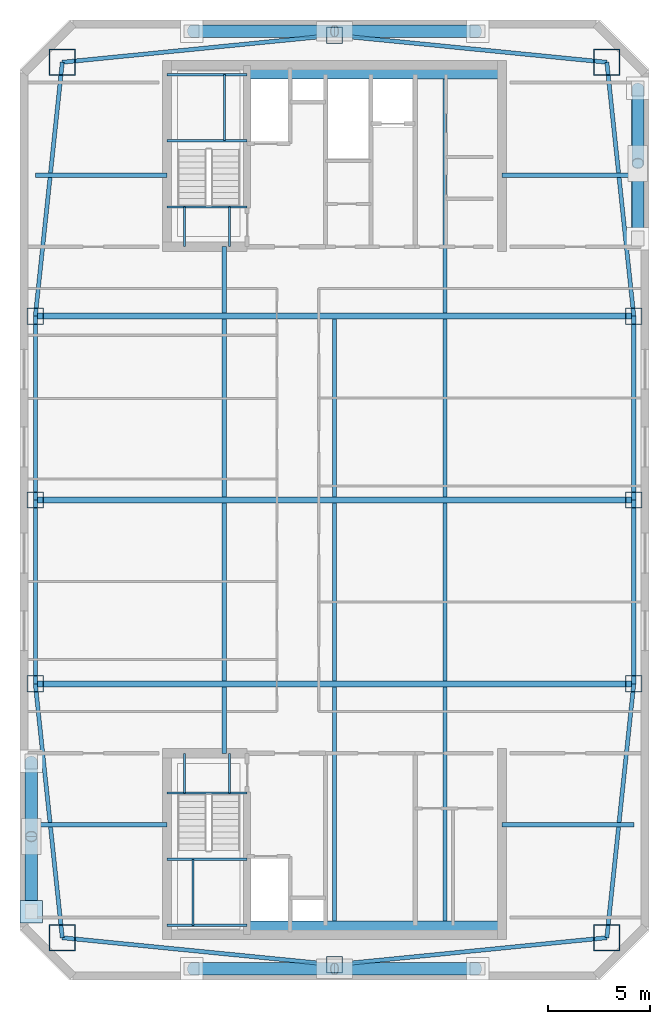
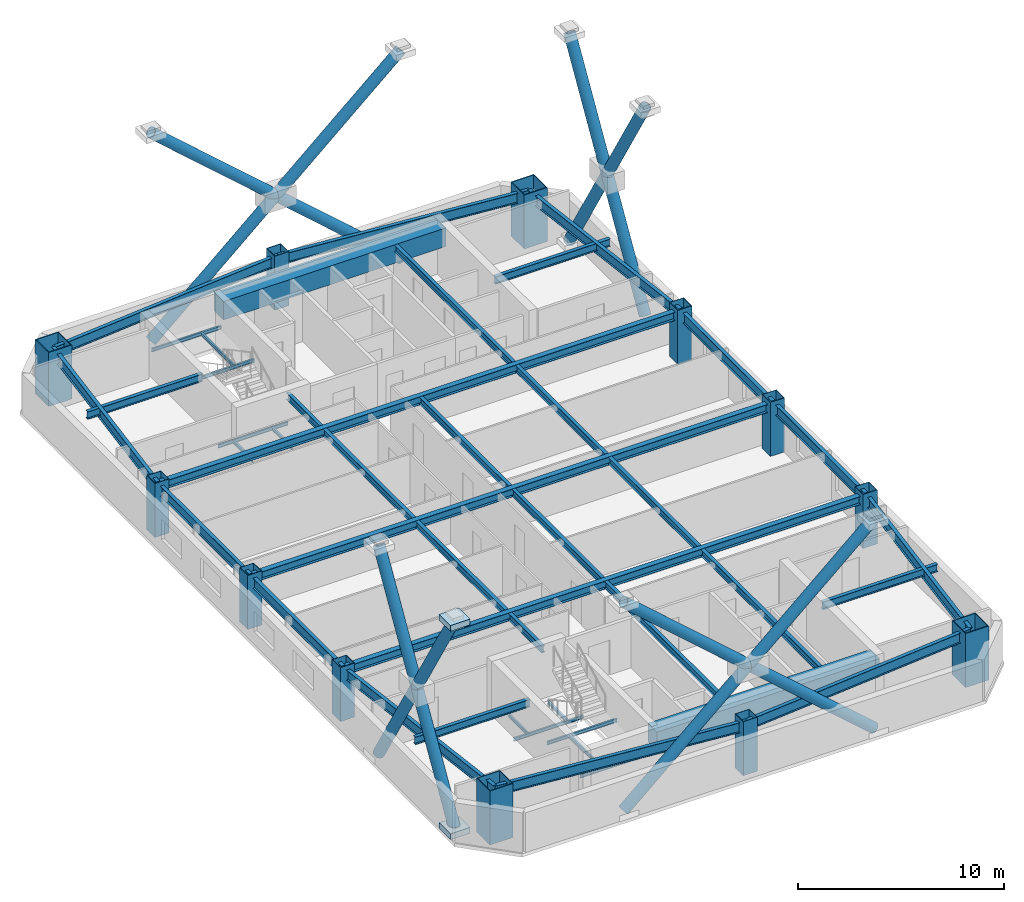
# One storey, part 1 of 6: 44 beams, 16 members, 12 columns, 2 plates.
"""IFC4 building model written with IfcOpenShell, lengths in metres."""

from ifc_helpers import new_model, si_unit, direction, frame, origin, origin_2d, place, context, subcontext, project, spatial, rectangle, hollow_rectangle, hollow_circle, i_section, extrude, material, layer, layer_set, material_profile, profile_set, type_object, element, save


model = new_model("IFC4")

# Units and contexts
model_context = context("Model", 3, precision=1e-05, world=origin(), true_north=direction((0.0, 1.0)))
body_context = subcontext(model_context, "Body", "Model", "MODEL_VIEW")
ifc_project = project(units=[si_unit("LENGTHUNIT", "METRE"), si_unit("AREAUNIT", "SQUARE_METRE"), si_unit("VOLUMEUNIT", "CUBIC_METRE"), si_unit("PLANEANGLEUNIT", "RADIAN"), si_unit("MASSUNIT", "GRAM", prefix="KILO")], contexts=[model_context])

# Site, building, storey
site_placement = place(None, origin())
site = spatial("IfcSite", under=ifc_project, at=site_placement, CompositionType="ELEMENT")
building_placement = place(site_placement, origin())
building = spatial("IfcBuilding", under=site, at=building_placement, Name="Qiaolan Cultural Towers", CompositionType="ELEMENT")
storey_placement = place(building_placement, frame((0.0, 0.0, 263.199951171875)))
storey = spatial("IfcBuildingStorey", under=building, at=storey_placement, Name="L72", CompositionType="ELEMENT", Elevation=263.199951171875)

# Columns
ifc_material_1 = material(Name="Steel Q390GJB", Category="steel")
ifc_material_profile_1 = material_profile(ifc_material_1, hollow_rectangle(XDim=1.300048828125, YDim=1.300048828125, WallThickness=0.044921875, at=origin_2d()), Name="BOX1300x1300x45")
ifc_profile_set_1 = profile_set([ifc_material_profile_1], Name="Steel Q390GJB")
column_type_1 = type_object("IfcColumnType", Name="COL-BOX1300x1300x45", PredefinedType="COLUMN", material=ifc_profile_set_1)
for number, where, z_axis, x_axis, name in (
    (1, (16.669921875, 12.570068359375, 0.0), (0.0, 0.0, 1.0), (1.0, 0.0, 0.0), "L72 T1 Perimeter Column MC-SW"),
    (2, (43.330078125, 12.570068359375, 0.0), (0.0, 0.0, 1.0), (1.0, 0.0, 0.0), "L72 T1 Perimeter Column MC-SE"),
    (3, (43.330078125, 55.429931640625, 0.0), (0.0, 0.0, 1.0), (1.0, 0.0, 0.0), "L72 T1 Perimeter Column MC-NE"),
    (4, (16.669921875, 55.429931640625, 0.0), (0.0, 0.0, 1.0), (1.0, 0.0, 0.0), "L72 T1 Perimeter Column MC-NW"),
):
    element("IfcColumn", number, at=place(storey_placement, frame(where, z_axis=z_axis, x_axis=x_axis)), inside=storey, type_object=column_type_1, Name=name, PredefinedType="COLUMN", context=body_context, shape_type="SweptSolid", body=[
        extrude(hollow_rectangle(XDim=1.300048828125, YDim=1.300048828125, WallThickness=0.044921875, at=origin_2d()), origin(), (0.0, 0.0, 1.0), 3.200927734375),
    ])
ifc_material_2 = material(Name="Steel Q355B", Category="steel")
ifc_material_profile_2 = material_profile(ifc_material_2, hollow_rectangle(XDim=0.800048828125, YDim=0.800048828125, WallThickness=0.028076171875, at=origin_2d()), Name="BOX800x800x28")
ifc_profile_set_2 = profile_set([ifc_material_profile_2], Name="Steel Q355B")
column_type_2 = type_object("IfcColumnType", Name="COL-BOX800x800x28", PredefinedType="COLUMN", material=ifc_profile_set_2)
for number, where, z_axis, x_axis, name in (
    (5, (15.35009765625, 25.0, 0.0), (0.0, 0.0, 1.0), (1.0, 0.0, 0.0), "L72 T1 Perimeter Column PC-W1"),
    (6, (15.35009765625, 34.0, 0.0), (0.0, 0.0, 1.0), (1.0, 0.0, 0.0), "L72 T1 Perimeter Column PC-W2"),
    (7, (15.35009765625, 43.0, 0.0), (0.0, 0.0, 1.0), (1.0, 0.0, 0.0), "L72 T1 Perimeter Column PC-W3"),
    (8, (44.64990234375, 25.0, 0.0), (0.0, 0.0, 1.0), (1.0, 0.0, 0.0), "L72 T1 Perimeter Column PC-E1"),
    (9, (44.64990234375, 34.0, 0.0), (0.0, 0.0, 1.0), (1.0, 0.0, 0.0), "L72 T1 Perimeter Column PC-E2"),
    (10, (44.64990234375, 43.0, 0.0), (0.0, 0.0, 1.0), (1.0, 0.0, 0.0), "L72 T1 Perimeter Column PC-E3"),
    (11, (30.0, 11.25, 0.0), (0.0, 0.0, 1.0), (1.0, 0.0, 0.0), "L72 T1 Perimeter Column PC-S0"),
    (12, (30.0, 56.75, 0.0), (0.0, 0.0, 1.0), (1.0, 0.0, 0.0), "L72 T1 Perimeter Column PC-N0"),
):
    element("IfcColumn", number, at=place(storey_placement, frame(where, z_axis=z_axis, x_axis=x_axis)), inside=storey, type_object=column_type_2, Name=name, PredefinedType="COLUMN", context=body_context, shape_type="SweptSolid", body=[
        extrude(hollow_rectangle(XDim=0.800048828125, YDim=0.800048828125, WallThickness=0.028076171875, at=origin_2d()), origin(), (0.0, 0.0, 1.0), 3.200927734375),
    ])

# Beams
ifc_material_3 = material(Name="Steel Q355B", Category="steel")
ifc_material_profile_3 = material_profile(ifc_material_3, i_section(OverallWidth=0.300048828125, OverallDepth=0.488037109375, WebThickness=0.010986328125, FlangeThickness=0.01806640625, at=origin_2d()), Name="HM488x300x11x18")
ifc_profile_set_3 = profile_set([ifc_material_profile_3], Name="Steel Q355B")
beam_type_1 = type_object("IfcBeamType", Name="BM-HM488x300x11x18", PredefinedType="BEAM", material=ifc_profile_set_3)
for number, where, z_axis, x_axis, name in (
    (13, (15.35009765625, 25.0, 2.696044921875), (1.0, 0.0, 0.0), (0.0, 1.0, 0.0), "L72 T1 Primary Transverse Girder V1"),
    (14, (15.35009765625, 34.0, 2.696044921875), (1.0, 0.0, 0.0), (0.0, 1.0, 0.0), "L72 T1 Primary Transverse Girder V2"),
    (15, (15.35009765625, 43.0, 2.696044921875), (1.0, 0.0, 0.0), (0.0, 1.0, 0.0), "L72 T1 Primary Transverse Girder V3"),
):
    element("IfcBeam", number, at=place(storey_placement, frame(where, z_axis=z_axis, x_axis=x_axis)), inside=storey, type_object=beam_type_1, Name=name, PredefinedType="BEAM", context=body_context, shape_type="SweptSolid", body=[
        extrude(i_section(OverallWidth=0.300048828125, OverallDepth=0.488037109375, WebThickness=0.010986328125, FlangeThickness=0.01806640625, at=origin_2d()), origin(), (0.0, 0.0, 1.0), 29.2998046875),
    ])
ifc_material_4 = material(Name="Steel Q355B", Category="steel")
ifc_material_profile_4 = material_profile(ifc_material_4, i_section(OverallWidth=0.199951171875, OverallDepth=0.39990234375, WebThickness=0.008056640625, FlangeThickness=0.012939453125, at=origin_2d()), Name="HN400x200x8x13")
ifc_profile_set_4 = profile_set([ifc_material_profile_4], Name="Steel Q355B")
beam_type_2 = type_object("IfcBeamType", Name="BM-JST-HN400x200x8x13", PredefinedType="JOIST", material=ifc_profile_set_4)
beam_1_placement = place(storey_placement, frame((24.60009765625, 21.60009765625, 2.739990234375), z_axis=(0.0, 1.0, 0.0), x_axis=(-1.0, 0.0, 0.0)))
element("IfcBeam", 16, at=beam_1_placement, inside=storey, type_object=beam_type_2, Name="L72 T1 Secondary Floor Joist U1-1", PredefinedType="JOIST", context=body_context, shape_type="SweptSolid", body=[
    extrude(i_section(OverallWidth=0.199951171875, OverallDepth=0.39990234375, WebThickness=0.008056640625, FlangeThickness=0.012939453125, at=origin_2d()), origin(), (0.0, 0.0, 1.0), 3.25),
])
for number, where, z_axis, x_axis, name in (
    (17, (24.60009765625, 25.14990234375, 2.739990234375), (0.0, 1.0, 0.0), (-1.0, 0.0, 0.0), "L72 T1 Secondary Floor Joist U1-2"),
    (18, (24.60009765625, 34.14990234375, 2.739990234375), (0.0, 1.0, 0.0), (-1.0, 0.0, 0.0), "L72 T1 Secondary Floor Joist U1-3"),
):
    element("IfcBeam", number, at=place(storey_placement, frame(where, z_axis=z_axis, x_axis=x_axis)), inside=storey, type_object=beam_type_2, Name=name, PredefinedType="JOIST", context=body_context, shape_type="SweptSolid", body=[
        extrude(i_section(OverallWidth=0.199951171875, OverallDepth=0.39990234375, WebThickness=0.008056640625, FlangeThickness=0.012939453125, at=origin_2d()), origin(), (0.0, 0.0, 1.0), 8.7001953125),
    ])
beam_2_placement = place(storey_placement, frame((24.60009765625, 43.14990234375, 2.739990234375), z_axis=(0.0, 1.0, 0.0), x_axis=(-1.0, 0.0, 0.0)))
element("IfcBeam", 19, at=beam_2_placement, inside=storey, type_object=beam_type_2, Name="L72 T1 Secondary Floor Joist U1-4", PredefinedType="JOIST", context=body_context, shape_type="SweptSolid", body=[
    extrude(i_section(OverallWidth=0.199951171875, OverallDepth=0.39990234375, WebThickness=0.008056640625, FlangeThickness=0.012939453125, at=origin_2d()), origin(), (0.0, 0.0, 1.0), 3.25),
])
beam_3_placement = place(storey_placement, frame((30.0, 13.39990234375, 2.739990234375), z_axis=(0.0, 1.0, 0.0), x_axis=(-1.0, 0.0, 0.0)))
element("IfcBeam", 20, at=beam_3_placement, inside=storey, type_object=beam_type_2, Name="L72 T1 Secondary Floor Joist U2-1", PredefinedType="JOIST", context=body_context, shape_type="SweptSolid", body=[
    extrude(i_section(OverallWidth=0.199951171875, OverallDepth=0.39990234375, WebThickness=0.008056640625, FlangeThickness=0.012939453125, at=origin_2d()), origin(), (0.0, 0.0, 1.0), 11.4501953125),
])
for number, where, z_axis, x_axis, name in (
    (21, (30.0, 25.14990234375, 2.739990234375), (0.0, 1.0, 0.0), (-1.0, 0.0, 0.0), "L72 T1 Secondary Floor Joist U2-2"),
    (22, (30.0, 34.14990234375, 2.739990234375), (0.0, 1.0, 0.0), (-1.0, 0.0, 0.0), "L72 T1 Secondary Floor Joist U2-3"),
):
    element("IfcBeam", number, at=place(storey_placement, frame(where, z_axis=z_axis, x_axis=x_axis)), inside=storey, type_object=beam_type_2, Name=name, PredefinedType="JOIST", context=body_context, shape_type="SweptSolid", body=[
        extrude(i_section(OverallWidth=0.199951171875, OverallDepth=0.39990234375, WebThickness=0.008056640625, FlangeThickness=0.012939453125, at=origin_2d()), origin(), (0.0, 0.0, 1.0), 8.7001953125),
    ])
beam_4_placement = place(storey_placement, frame((35.39990234375, 13.39990234375, 2.739990234375), z_axis=(0.0, 1.0, 0.0), x_axis=(-1.0, 0.0, 0.0)))
element("IfcBeam", 23, at=beam_4_placement, inside=storey, type_object=beam_type_2, Name="L72 T1 Secondary Floor Joist U3-1", PredefinedType="JOIST", context=body_context, shape_type="SweptSolid", body=[
    extrude(i_section(OverallWidth=0.199951171875, OverallDepth=0.39990234375, WebThickness=0.008056640625, FlangeThickness=0.012939453125, at=origin_2d()), origin(), (0.0, 0.0, 1.0), 11.4501953125),
])
for number, where, z_axis, x_axis, name in (
    (24, (35.39990234375, 25.14990234375, 2.739990234375), (0.0, 1.0, 0.0), (-1.0, 0.0, 0.0), "L72 T1 Secondary Floor Joist U3-2"),
    (25, (35.39990234375, 34.14990234375, 2.739990234375), (0.0, 1.0, 0.0), (-1.0, 0.0, 0.0), "L72 T1 Secondary Floor Joist U3-3"),
):
    element("IfcBeam", number, at=place(storey_placement, frame(where, z_axis=z_axis, x_axis=x_axis)), inside=storey, type_object=beam_type_2, Name=name, PredefinedType="JOIST", context=body_context, shape_type="SweptSolid", body=[
        extrude(i_section(OverallWidth=0.199951171875, OverallDepth=0.39990234375, WebThickness=0.008056640625, FlangeThickness=0.012939453125, at=origin_2d()), origin(), (0.0, 0.0, 1.0), 8.7001953125),
    ])
beam_5_placement = place(storey_placement, frame((35.39990234375, 43.14990234375, 2.739990234375), z_axis=(0.0, 1.0, 0.0), x_axis=(-1.0, 0.0, 0.0)))
element("IfcBeam", 26, at=beam_5_placement, inside=storey, type_object=beam_type_2, Name="L72 T1 Secondary Floor Joist U3-4", PredefinedType="JOIST", context=body_context, shape_type="SweptSolid", body=[
    extrude(i_section(OverallWidth=0.199951171875, OverallDepth=0.39990234375, WebThickness=0.008056640625, FlangeThickness=0.012939453125, at=origin_2d()), origin(), (0.0, 0.0, 1.0), 11.4501953125),
])
ifc_material_5 = material(Name="Steel Q355B", Category="steel")
ifc_material_profile_5 = material_profile(ifc_material_5, i_section(OverallWidth=0.199951171875, OverallDepth=0.449951171875, WebThickness=0.009033203125, FlangeThickness=0.013916015625, at=origin_2d()), Name="HN450x200x9x14")
ifc_profile_set_5 = profile_set([ifc_material_profile_5], Name="Steel Q355B")
beam_type_3 = type_object("IfcBeamType", Name="BM-LNT-HN450x200x9x14", PredefinedType="LINTEL", material=ifc_profile_set_5)
for number, where, z_axis, x_axis, name in (
    (27, (21.800048828125, 18.10009765625, 2.715087890625), (-1.0, 0.0, 0.0), (0.0, -1.0, 0.0), "L72 T1 Core Flank Tie Lintel WS"),
    (28, (21.800048828125, 49.89990234375, 2.715087890625), (-1.0, 0.0, 0.0), (0.0, -1.0, 0.0), "L72 T1 Core Flank Tie Lintel WN"),
    (29, (38.199951171875, 18.10009765625, 2.715087890625), (1.0, 0.0, 0.0), (0.0, 1.0, 0.0), "L72 T1 Core Flank Tie Lintel ES"),
    (30, (38.199951171875, 49.89990234375, 2.715087890625), (1.0, 0.0, 0.0), (0.0, 1.0, 0.0), "L72 T1 Core Flank Tie Lintel EN"),
):
    element("IfcBeam", number, at=place(storey_placement, frame(where, z_axis=z_axis, x_axis=x_axis)), inside=storey, type_object=beam_type_3, Name=name, PredefinedType="LINTEL", context=body_context, shape_type="SweptSolid", body=[
        extrude(i_section(OverallWidth=0.199951171875, OverallDepth=0.449951171875, WebThickness=0.009033203125, FlangeThickness=0.013916015625, at=origin_2d()), origin(), (0.0, 0.0, 1.0), 6.449951171875),
    ])
ifc_material_6 = material(Name="Concrete C50", Category="concrete")
ifc_material_profile_6 = material_profile(ifc_material_6, rectangle(XDim=0.89990234375, YDim=1.10009765625, at=origin_2d()), Name="RC900x1100")
ifc_profile_set_6 = profile_set([ifc_material_profile_6], Name="Concrete C50")
beam_type_4 = type_object("IfcBeamType", Name="BM-RC900x1100", PredefinedType="BEAM", material=ifc_profile_set_6)
for number, where, z_axis, x_axis, name in (
    (31, (25.719970703125, 12.949951171875, 2.39013671875), (1.0, 0.0, 0.0), (0.0, 1.0, 0.0), "L72 T1 Core Header Girder S"),
    (32, (25.719970703125, 55.050048828125, 2.39013671875), (1.0, 0.0, 0.0), (0.0, 1.0, 0.0), "L72 T1 Core Header Girder N"),
):
    element("IfcBeam", number, at=place(storey_placement, frame(where, z_axis=z_axis, x_axis=x_axis)), inside=storey, type_object=beam_type_4, Name=name, PredefinedType="BEAM", context=body_context, shape_type="SweptSolid", body=[
        extrude(rectangle(XDim=0.89990234375, YDim=1.10009765625, at=origin_2d()), origin(), (0.0, 0.0, 1.0), 12.47998046875),
    ])
ifc_material_7 = material(Name="Steel Q355B", Category="steel")
ifc_material_profile_7 = material_profile(ifc_material_7, i_section(OverallWidth=0.199951171875, OverallDepth=0.60009765625, WebThickness=0.010986328125, FlangeThickness=0.01708984375, at=origin_2d()), Name="HN600x200x11x17")
ifc_profile_set_7 = profile_set([ifc_material_profile_7], Name="Steel Q355B")
beam_type_5 = type_object("IfcBeamType", Name="BM-SPD-HN600x200x11x17", PredefinedType="SPANDREL", material=ifc_profile_set_7)
for number, where, z_axis, x_axis, name in (
    (33, (16.669921875, 12.570068359375, 2.64013671875), (0.995132371263, -0.098547266143, 0.0), (0.098547266143, 0.995132371263, 0.0), "L72 T1 Perimeter Spandrel Beam 1"),
    (34, (30.0, 11.25, 2.64013671875), (0.995132371263, 0.098547266143, 0.0), (-0.098547266143, 0.995132371263, 0.0), "L72 T1 Perimeter Spandrel Beam 2"),
):
    element("IfcBeam", number, at=place(storey_placement, frame(where, z_axis=z_axis, x_axis=x_axis)), inside=storey, type_object=beam_type_5, Name=name, PredefinedType="SPANDREL", context=body_context, shape_type="SweptSolid", body=[
        extrude(i_section(OverallWidth=0.199951171875, OverallDepth=0.60009765625, WebThickness=0.010986328125, FlangeThickness=0.01708984375, at=origin_2d()), origin(), (0.0, 0.0, 1.0), 13.395263671875),
    ])
beam_6_placement = place(storey_placement, frame((43.330078125, 12.570068359375, 2.64013671875), z_axis=(0.105587580773, 0.994410007384, 0.0), x_axis=(-0.994410007384, 0.105587580773, 0.0)))
element("IfcBeam", 35, at=beam_6_placement, inside=storey, type_object=beam_type_5, Name="L72 T1 Perimeter Spandrel Beam 3", PredefinedType="SPANDREL", context=body_context, shape_type="SweptSolid", body=[
    extrude(i_section(OverallWidth=0.199951171875, OverallDepth=0.60009765625, WebThickness=0.010986328125, FlangeThickness=0.01708984375, at=origin_2d()), origin(), (0.0, 0.0, 1.0), 12.499755859375),
])
for number, where, z_axis, x_axis, name in (
    (36, (44.64990234375, 25.0, 2.64013671875), (0.0, 1.0, 0.0), (-1.0, 0.0, 0.0), "L72 T1 Perimeter Spandrel Beam 4"),
    (37, (44.64990234375, 34.0, 2.64013671875), (0.0, 1.0, 0.0), (-1.0, 0.0, 0.0), "L72 T1 Perimeter Spandrel Beam 5"),
):
    element("IfcBeam", number, at=place(storey_placement, frame(where, z_axis=z_axis, x_axis=x_axis)), inside=storey, type_object=beam_type_5, Name=name, PredefinedType="SPANDREL", context=body_context, shape_type="SweptSolid", body=[
        extrude(i_section(OverallWidth=0.199951171875, OverallDepth=0.60009765625, WebThickness=0.010986328125, FlangeThickness=0.01708984375, at=origin_2d()), origin(), (0.0, 0.0, 1.0), 9.0),
    ])
beam_7_placement = place(storey_placement, frame((44.64990234375, 43.0, 2.64013671875), z_axis=(-0.105587580773, 0.994410007384, 0.0), x_axis=(-0.994410007384, -0.105587580773, 0.0)))
element("IfcBeam", 38, at=beam_7_placement, inside=storey, type_object=beam_type_5, Name="L72 T1 Perimeter Spandrel Beam 6", PredefinedType="SPANDREL", context=body_context, shape_type="SweptSolid", body=[
    extrude(i_section(OverallWidth=0.199951171875, OverallDepth=0.60009765625, WebThickness=0.010986328125, FlangeThickness=0.01708984375, at=origin_2d()), origin(), (0.0, 0.0, 1.0), 12.499755859375),
])
for number, where, z_axis, x_axis, name in (
    (39, (43.330078125, 55.429931640625, 2.64013671875), (-0.995132371263, 0.098547266143, 0.0), (-0.098547266143, -0.995132371263, 0.0), "L72 T1 Perimeter Spandrel Beam 7"),
    (40, (30.0, 56.75, 2.64013671875), (-0.995132371263, -0.098547266143, 0.0), (0.098547266143, -0.995132371263, 0.0), "L72 T1 Perimeter Spandrel Beam 8"),
):
    element("IfcBeam", number, at=place(storey_placement, frame(where, z_axis=z_axis, x_axis=x_axis)), inside=storey, type_object=beam_type_5, Name=name, PredefinedType="SPANDREL", context=body_context, shape_type="SweptSolid", body=[
        extrude(i_section(OverallWidth=0.199951171875, OverallDepth=0.60009765625, WebThickness=0.010986328125, FlangeThickness=0.01708984375, at=origin_2d()), origin(), (0.0, 0.0, 1.0), 13.395263671875),
    ])
beam_8_placement = place(storey_placement, frame((16.669921875, 55.429931640625, 2.64013671875), z_axis=(-0.105587580773, -0.994410007384, 0.0), x_axis=(0.994410007384, -0.105587580773, 0.0)))
element("IfcBeam", 41, at=beam_8_placement, inside=storey, type_object=beam_type_5, Name="L72 T1 Perimeter Spandrel Beam 9", PredefinedType="SPANDREL", context=body_context, shape_type="SweptSolid", body=[
    extrude(i_section(OverallWidth=0.199951171875, OverallDepth=0.60009765625, WebThickness=0.010986328125, FlangeThickness=0.01708984375, at=origin_2d()), origin(), (0.0, 0.0, 1.0), 12.499755859375),
])
for number, where, z_axis, x_axis, name in (
    (42, (15.35009765625, 43.0, 2.64013671875), (0.0, -1.0, 0.0), (1.0, 0.0, 0.0), "L72 T1 Perimeter Spandrel Beam 10"),
    (43, (15.35009765625, 34.0, 2.64013671875), (0.0, -1.0, 0.0), (1.0, 0.0, 0.0), "L72 T1 Perimeter Spandrel Beam 11"),
):
    element("IfcBeam", number, at=place(storey_placement, frame(where, z_axis=z_axis, x_axis=x_axis)), inside=storey, type_object=beam_type_5, Name=name, PredefinedType="SPANDREL", context=body_context, shape_type="SweptSolid", body=[
        extrude(i_section(OverallWidth=0.199951171875, OverallDepth=0.60009765625, WebThickness=0.010986328125, FlangeThickness=0.01708984375, at=origin_2d()), origin(), (0.0, 0.0, 1.0), 9.0),
    ])
beam_9_placement = place(storey_placement, frame((15.35009765625, 25.0, 2.64013671875), z_axis=(0.105587580773, -0.994410007384, 0.0), x_axis=(0.994410007384, 0.105587580773, 0.0)))
element("IfcBeam", 44, at=beam_9_placement, inside=storey, type_object=beam_type_5, Name="L72 T1 Perimeter Spandrel Beam 12", PredefinedType="SPANDREL", context=body_context, shape_type="SweptSolid", body=[
    extrude(i_section(OverallWidth=0.199951171875, OverallDepth=0.60009765625, WebThickness=0.010986328125, FlangeThickness=0.01708984375, at=origin_2d()), origin(), (0.0, 0.0, 1.0), 12.499755859375),
])
ifc_material_8 = material(Name="Steel Q355B", Category="steel")
ifc_material_profile_8 = material_profile(ifc_material_8, i_section(OverallWidth=0.10009765625, OverallDepth=0.199951171875, WebThickness=0.005615234375, FlangeThickness=0.008056640625, at=origin_2d()), Name="HN200x100x5.5x8")
ifc_profile_set_8 = profile_set([ifc_material_profile_8], Name="Steel Q355B")
beam_type_6 = type_object("IfcBeamType", Name="BM-STTRIM-200", PredefinedType="BEAM", material=ifc_profile_set_8)
beam_10_placement = place(storey_placement, frame((21.800048828125, 19.659912109375, -0.4599609375), z_axis=(1.0, 0.0, 0.0), x_axis=(0.0, 1.0, 0.0)))
element("IfcBeam", 45, at=beam_10_placement, inside=storey, type_object=beam_type_6, Name="L72 ST-W1 Floor Landing Header Beam", PredefinedType="BEAM", context=body_context, shape_type="SweptSolid", body=[
    extrude(i_section(OverallWidth=0.10009765625, OverallDepth=0.199951171875, WebThickness=0.005615234375, FlangeThickness=0.008056640625, at=origin_2d()), origin(), (0.0, 0.0, 1.0), 3.919921875),
])
for number, where, z_axis, x_axis, name in (
    (46, (22.64990234375, 21.60009765625, -0.4599609375), (0.0, -1.0, 0.0), (1.0, 0.0, 0.0), "L72 ST-W1 Floor Landing Stringer 1"),
    (47, (24.85009765625, 21.60009765625, -0.4599609375), (0.0, -1.0, 0.0), (1.0, 0.0, 0.0), "L72 ST-W1 Floor Landing Stringer 2"),
):
    element("IfcBeam", number, at=place(storey_placement, frame(where, z_axis=z_axis, x_axis=x_axis)), inside=storey, type_object=beam_type_6, Name=name, PredefinedType="BEAM", context=body_context, shape_type="SweptSolid", body=[
        extrude(i_section(OverallWidth=0.10009765625, OverallDepth=0.199951171875, WebThickness=0.005615234375, FlangeThickness=0.008056640625, at=origin_2d()), origin(), (0.0, 0.0, 1.0), 1.940185546875),
    ])
for number, where, z_axis, x_axis, name in (
    (48, (21.800048828125, 16.411376953125, 1.300048828125), (1.0, 0.0, 0.0), (0.0, 1.0, 0.0), "L72 ST-W1 Stair Landing Support Beam 1-1"),
    (49, (21.800048828125, 13.179931640625, 1.300048828125), (1.0, 0.0, 0.0), (0.0, 1.0, 0.0), "L72 ST-W1 Stair Landing Support Beam 1-2"),
):
    element("IfcBeam", number, at=place(storey_placement, frame(where, z_axis=z_axis, x_axis=x_axis)), inside=storey, type_object=beam_type_6, Name=name, PredefinedType="BEAM", context=body_context, shape_type="SweptSolid", body=[
        extrude(i_section(OverallWidth=0.10009765625, OverallDepth=0.199951171875, WebThickness=0.005615234375, FlangeThickness=0.008056640625, at=origin_2d()), origin(), (0.0, 0.0, 1.0), 3.919921875),
    ])
beam_11_placement = place(storey_placement, frame((23.070068359375, 16.411376953125, 1.300048828125), z_axis=(0.0, -1.0, 0.0), x_axis=(1.0, 0.0, 0.0)))
element("IfcBeam", 50, at=beam_11_placement, inside=storey, type_object=beam_type_6, Name="L72 ST-W1 Stair Landing Trimmer 1", PredefinedType="BEAM", context=body_context, shape_type="SweptSolid", body=[
    extrude(i_section(OverallWidth=0.10009765625, OverallDepth=0.199951171875, WebThickness=0.005615234375, FlangeThickness=0.008056640625, at=origin_2d()), origin(), (0.0, 0.0, 1.0), 3.2314453125),
])
beam_12_placement = place(storey_placement, frame((21.800048828125, 48.340087890625, -0.4599609375), z_axis=(1.0, 0.0, 0.0), x_axis=(0.0, 1.0, 0.0)))
element("IfcBeam", 51, at=beam_12_placement, inside=storey, type_object=beam_type_6, Name="L72 ST-W2 Floor Landing Header Beam", PredefinedType="BEAM", context=body_context, shape_type="SweptSolid", body=[
    extrude(i_section(OverallWidth=0.10009765625, OverallDepth=0.199951171875, WebThickness=0.005615234375, FlangeThickness=0.008056640625, at=origin_2d()), origin(), (0.0, 0.0, 1.0), 3.919921875),
])
for number, where, z_axis, x_axis, name in (
    (52, (22.64990234375, 46.39990234375, -0.4599609375), (0.0, 1.0, 0.0), (-1.0, 0.0, 0.0), "L72 ST-W2 Floor Landing Stringer 1"),
    (53, (24.85009765625, 46.39990234375, -0.4599609375), (0.0, 1.0, 0.0), (-1.0, 0.0, 0.0), "L72 ST-W2 Floor Landing Stringer 2"),
):
    element("IfcBeam", number, at=place(storey_placement, frame(where, z_axis=z_axis, x_axis=x_axis)), inside=storey, type_object=beam_type_6, Name=name, PredefinedType="BEAM", context=body_context, shape_type="SweptSolid", body=[
        extrude(i_section(OverallWidth=0.10009765625, OverallDepth=0.199951171875, WebThickness=0.005615234375, FlangeThickness=0.008056640625, at=origin_2d()), origin(), (0.0, 0.0, 1.0), 1.940185546875),
    ])
for number, where, z_axis, x_axis, name in (
    (54, (21.800048828125, 51.588623046875, 1.300048828125), (1.0, 0.0, 0.0), (0.0, 1.0, 0.0), "L72 ST-W2 Stair Landing Support Beam 1-1"),
    (55, (21.800048828125, 54.820068359375, 1.300048828125), (1.0, 0.0, 0.0), (0.0, 1.0, 0.0), "L72 ST-W2 Stair Landing Support Beam 1-2"),
):
    element("IfcBeam", number, at=place(storey_placement, frame(where, z_axis=z_axis, x_axis=x_axis)), inside=storey, type_object=beam_type_6, Name=name, PredefinedType="BEAM", context=body_context, shape_type="SweptSolid", body=[
        extrude(i_section(OverallWidth=0.10009765625, OverallDepth=0.199951171875, WebThickness=0.005615234375, FlangeThickness=0.008056640625, at=origin_2d()), origin(), (0.0, 0.0, 1.0), 3.919921875),
    ])
beam_13_placement = place(storey_placement, frame((24.610107421875, 51.588623046875, 1.300048828125), z_axis=(0.0, 1.0, 0.0), x_axis=(-1.0, 0.0, 0.0)))
element("IfcBeam", 56, at=beam_13_placement, inside=storey, type_object=beam_type_6, Name="L72 ST-W2 Stair Landing Trimmer 1", PredefinedType="BEAM", context=body_context, shape_type="SweptSolid", body=[
    extrude(i_section(OverallWidth=0.10009765625, OverallDepth=0.199951171875, WebThickness=0.005615234375, FlangeThickness=0.008056640625, at=origin_2d()), origin(), (0.0, 0.0, 1.0), 3.2314453125),
])

# Members
ifc_material_9 = material(Name="Steel Q355B", Category="steel")
ifc_material_profile_9 = material_profile(ifc_material_9, hollow_circle(Radius=0.300048828125, WallThickness=0.030029296875, at=origin_2d()), Name="CHS600x30")
ifc_profile_set_9 = profile_set([ifc_material_profile_9], Name="Steel Q355B")
member_type = type_object("IfcMemberType", Name="MBR-BRC-CHS600x30", PredefinedType="BRACE", material=ifc_profile_set_9)
member_1_placement = place(storey_placement, frame((15.14990234375, 13.85009765625, 0.150146484375), z_axis=(0.0, 0.511414568192, 0.859334125612), x_axis=(-1.0, 0.0, 0.0)))
element("IfcMember", 57, at=member_1_placement, inside=storey, type_object=member_type, Name="T1 WEST Perimeter Frame Diagonal W-Z4-M4-D1A", PredefinedType="BRACE", context=body_context, shape_type="SweptSolid", body=[
    extrude(hollow_circle(Radius=0.300048828125, WallThickness=0.030029296875, at=origin_2d()), origin(), (0.0, 0.0, 1.0), 7.185546875),
])
for number, where, z_axis, x_axis, name in (
    (58, (15.14990234375, 17.52490234375, 6.324951171875), (0.0, 0.511424725954, 0.859328080353), (-1.0, 0.0, 0.0), "T1 WEST Perimeter Frame Diagonal W-Z4-M4-D1B"),
    (59, (15.14990234375, 21.199951171875, 0.150146484375), (0.0, -0.511439657673, 0.859319193641), (1.0, 0.0, 0.0), "T1 WEST Perimeter Frame Diagonal W-Z4-M4-D2A"),
    (60, (15.14990234375, 17.52490234375, 6.324951171875), (0.0, -0.511399636686, 0.859343011607), (1.0, 0.0, 0.0), "T1 WEST Perimeter Frame Diagonal W-Z4-M4-D2B"),
    (61, (44.85009765625, 46.800048828125, 0.150146484375), (0.0, 0.511439657673, 0.859319193641), (-1.0, 0.0, 0.0), "T1 EAST Perimeter Frame Diagonal W-Z4-M4-D1A"),
    (62, (44.85009765625, 50.47509765625, 6.324951171875), (0.0, 0.511399636686, 0.859343011607), (-1.0, 0.0, 0.0), "T1 EAST Perimeter Frame Diagonal W-Z4-M4-D1B"),
):
    element("IfcMember", number, at=place(storey_placement, frame(where, z_axis=z_axis, x_axis=x_axis)), inside=storey, type_object=member_type, Name=name, PredefinedType="BRACE", context=body_context, shape_type="SweptSolid", body=[
        extrude(hollow_circle(Radius=0.300048828125, WallThickness=0.030029296875, at=origin_2d()), origin(), (0.0, 0.0, 1.0), 7.185791015625),
    ])
member_2_placement = place(storey_placement, frame((44.85009765625, 54.14990234375, 0.150146484375), z_axis=(0.0, -0.511414568192, 0.859334125612), x_axis=(1.0, 0.0, 0.0)))
element("IfcMember", 63, at=member_2_placement, inside=storey, type_object=member_type, Name="T1 EAST Perimeter Frame Diagonal W-Z4-M4-D2A", PredefinedType="BRACE", context=body_context, shape_type="SweptSolid", body=[
    extrude(hollow_circle(Radius=0.300048828125, WallThickness=0.030029296875, at=origin_2d()), origin(), (0.0, 0.0, 1.0), 7.185546875),
])
member_3_placement = place(storey_placement, frame((44.85009765625, 50.47509765625, 6.324951171875), z_axis=(0.0, -0.511424725954, 0.859328080353), x_axis=(1.0, 0.0, 0.0)))
element("IfcMember", 64, at=member_3_placement, inside=storey, type_object=member_type, Name="T1 EAST Perimeter Frame Diagonal W-Z4-M4-D2B", PredefinedType="BRACE", context=body_context, shape_type="SweptSolid", body=[
    extrude(hollow_circle(Radius=0.300048828125, WallThickness=0.030029296875, at=origin_2d()), origin(), (0.0, 0.0, 1.0), 7.185791015625),
])
member_4_placement = place(storey_placement, frame((23.0, 11.050048828125, 0.150146484375), z_axis=(0.749926390131, 0.0, 0.661521284151), x_axis=(0.0, 1.0, 0.0)))
element("IfcMember", 65, at=member_4_placement, inside=storey, type_object=member_type, Name="T1 SOUTH Perimeter Frame Diagonal W-Z4-M4-D1A", PredefinedType="BRACE", context=body_context, shape_type="SweptSolid", body=[
    extrude(hollow_circle(Radius=0.300048828125, WallThickness=0.030029296875, at=origin_2d()), origin(), (0.0, 0.0, 1.0), 9.334228515625),
])
member_5_placement = place(storey_placement, frame((30.0, 11.050048828125, 6.324951171875), z_axis=(0.749913414741, 0.0, 0.66153599327), x_axis=(0.0, 1.0, 0.0)))
element("IfcMember", 66, at=member_5_placement, inside=storey, type_object=member_type, Name="T1 SOUTH Perimeter Frame Diagonal W-Z4-M4-D1B", PredefinedType="BRACE", context=body_context, shape_type="SweptSolid", body=[
    extrude(hollow_circle(Radius=0.300048828125, WallThickness=0.030029296875, at=origin_2d()), origin(), (0.0, 0.0, 1.0), 9.33447265625),
])
member_6_placement = place(storey_placement, frame((37.0, 11.050048828125, 0.150146484375), z_axis=(-0.749926390131, 0.0, 0.661521284151), x_axis=(0.0, -1.0, 0.0)))
element("IfcMember", 67, at=member_6_placement, inside=storey, type_object=member_type, Name="T1 SOUTH Perimeter Frame Diagonal W-Z4-M4-D2A", PredefinedType="BRACE", context=body_context, shape_type="SweptSolid", body=[
    extrude(hollow_circle(Radius=0.300048828125, WallThickness=0.030029296875, at=origin_2d()), origin(), (0.0, 0.0, 1.0), 9.334228515625),
])
member_7_placement = place(storey_placement, frame((30.0, 11.050048828125, 6.324951171875), z_axis=(-0.749913414741, 0.0, 0.66153599327), x_axis=(0.0, -1.0, 0.0)))
element("IfcMember", 68, at=member_7_placement, inside=storey, type_object=member_type, Name="T1 SOUTH Perimeter Frame Diagonal W-Z4-M4-D2B", PredefinedType="BRACE", context=body_context, shape_type="SweptSolid", body=[
    extrude(hollow_circle(Radius=0.300048828125, WallThickness=0.030029296875, at=origin_2d()), origin(), (0.0, 0.0, 1.0), 9.33447265625),
])
member_8_placement = place(storey_placement, frame((23.0, 56.949951171875, 0.150146484375), z_axis=(0.749926390131, 0.0, 0.661521284151), x_axis=(0.0, 1.0, 0.0)))
element("IfcMember", 69, at=member_8_placement, inside=storey, type_object=member_type, Name="T1 NORTH Perimeter Frame Diagonal W-Z4-M4-D1A", PredefinedType="BRACE", context=body_context, shape_type="SweptSolid", body=[
    extrude(hollow_circle(Radius=0.300048828125, WallThickness=0.030029296875, at=origin_2d()), origin(), (0.0, 0.0, 1.0), 9.334228515625),
])
member_9_placement = place(storey_placement, frame((30.0, 56.949951171875, 6.324951171875), z_axis=(0.749913414741, 0.0, 0.66153599327), x_axis=(0.0, 1.0, 0.0)))
element("IfcMember", 70, at=member_9_placement, inside=storey, type_object=member_type, Name="T1 NORTH Perimeter Frame Diagonal W-Z4-M4-D1B", PredefinedType="BRACE", context=body_context, shape_type="SweptSolid", body=[
    extrude(hollow_circle(Radius=0.300048828125, WallThickness=0.030029296875, at=origin_2d()), origin(), (0.0, 0.0, 1.0), 9.33447265625),
])
member_10_placement = place(storey_placement, frame((37.0, 56.949951171875, 0.150146484375), z_axis=(-0.749926390131, 0.0, 0.661521284151), x_axis=(0.0, -1.0, 0.0)))
element("IfcMember", 71, at=member_10_placement, inside=storey, type_object=member_type, Name="T1 NORTH Perimeter Frame Diagonal W-Z4-M4-D2A", PredefinedType="BRACE", context=body_context, shape_type="SweptSolid", body=[
    extrude(hollow_circle(Radius=0.300048828125, WallThickness=0.030029296875, at=origin_2d()), origin(), (0.0, 0.0, 1.0), 9.334228515625),
])
member_11_placement = place(storey_placement, frame((30.0, 56.949951171875, 6.324951171875), z_axis=(-0.749913414741, 0.0, 0.66153599327), x_axis=(0.0, -1.0, 0.0)))
element("IfcMember", 72, at=member_11_placement, inside=storey, type_object=member_type, Name="T1 NORTH Perimeter Frame Diagonal W-Z4-M4-D2B", PredefinedType="BRACE", context=body_context, shape_type="SweptSolid", body=[
    extrude(hollow_circle(Radius=0.300048828125, WallThickness=0.030029296875, at=origin_2d()), origin(), (0.0, 0.0, 1.0), 9.33447265625),
])

# Plates
ifc_material_10 = material(Name="Steel Q355B", Category="steel")
ifc_layer = layer(ifc_material_10, 0.030029296875)
ifc_layer_set = layer_set([ifc_layer], Name="Steel Q355B")
plate_type = type_object("IfcPlateType", Name="PL-ENDCAP-30", PredefinedType="USERDEFINED", material=ifc_layer_set)
for number, where, z_axis, x_axis, name in (
    (73, (15.14990234375, 13.85009765625, -0.02490234375), (0.0, 0.0, 1.0), (0.0, 1.0, 0.0), "Hollow Brace End Seal Cap Plate CP-01"),
    (74, (15.14990234375, 13.85009765625, 12.324951171875), (0.0, 0.0, 1.0), (0.0, 1.0, 0.0), "Hollow Brace End Seal Cap Plate CP-01"),
):
    element("IfcPlate", number, at=place(storey_placement, frame(where, z_axis=z_axis, x_axis=x_axis)), inside=storey, type_object=plate_type, Name=name, ObjectType="BASE_PLATE", PredefinedType="USERDEFINED", context=body_context, shape_type="SweptSolid", body=[
        extrude(rectangle(XDim=1.10009765625, YDim=1.10009765625, at=origin_2d()), origin(), (0.0, 0.0, 1.0), 0.35009765625),
    ])

save(model, "model.ifc")
